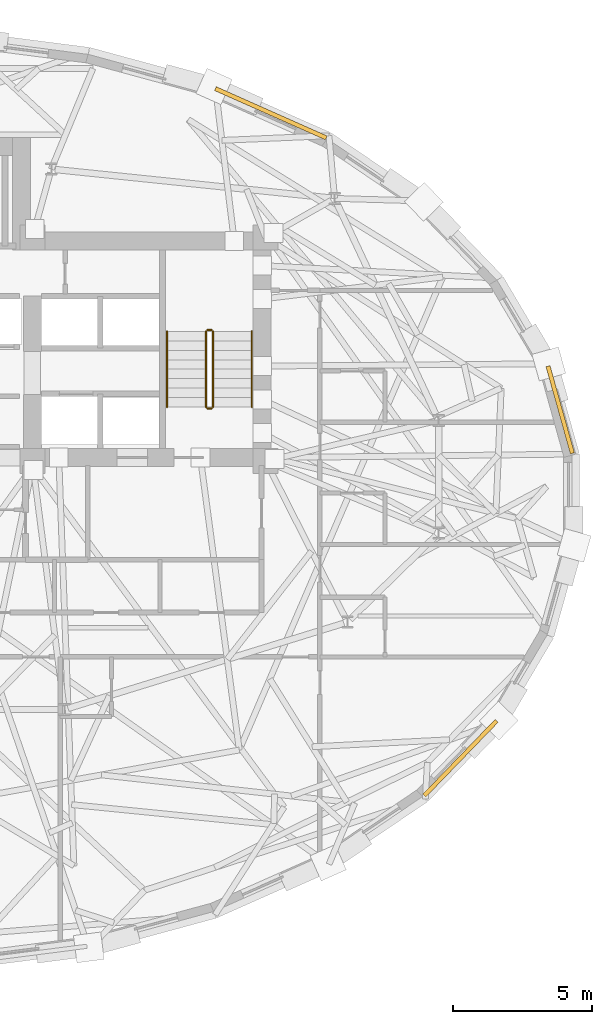
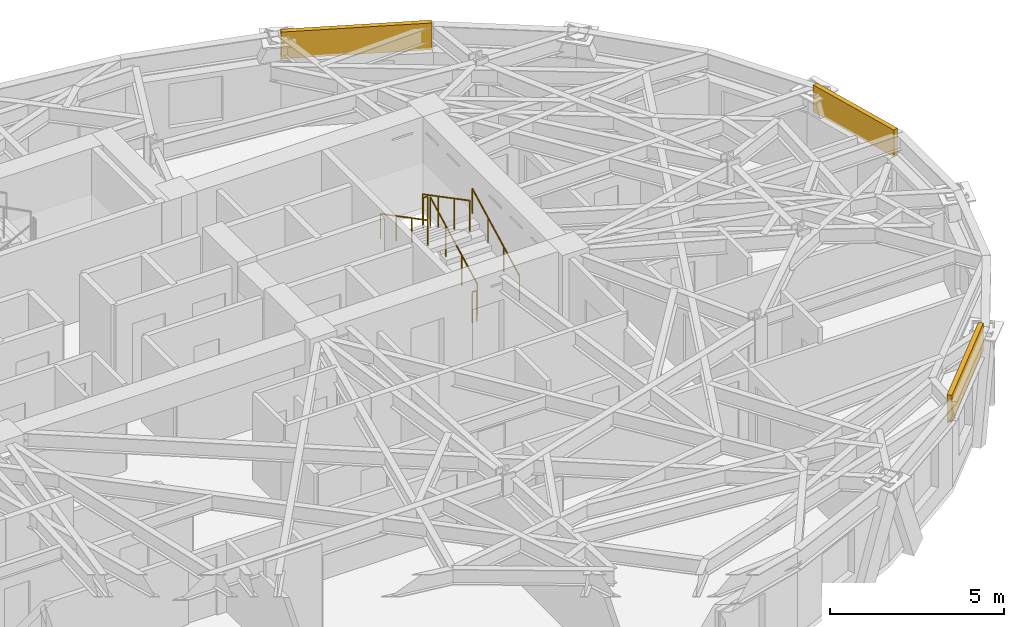
# One storey, part 14 of 15: 6 railings, 3 coverings.
"""IFC4 building model written with IfcOpenShell, lengths in metres."""

from ifc_helpers import new_model, si_unit, direction, frame, origin, origin_2d, place, context, subcontext, project, spatial, rectangle, circle, extrude, material, layer, layer_set, type_object, element, save


model = new_model("IFC4")

# Units and contexts
model_context = context("Model", 3, precision=1e-05, world=origin(), true_north=direction((0.0, 1.0)))
body_context = subcontext(model_context, "Body", "Model", "MODEL_VIEW")
ifc_project = project(units=[si_unit("LENGTHUNIT", "METRE"), si_unit("AREAUNIT", "SQUARE_METRE"), si_unit("VOLUMEUNIT", "CUBIC_METRE"), si_unit("PLANEANGLEUNIT", "RADIAN"), si_unit("MASSUNIT", "GRAM", prefix="KILO")], contexts=[model_context])

# Site, building, storey
site_placement = place(None, origin())
site = spatial("IfcSite", under=ifc_project, at=site_placement, CompositionType="ELEMENT")
building_placement = place(site_placement, origin())
building = spatial("IfcBuilding", under=site, at=building_placement, Name="Keldmark Tower", CompositionType="ELEMENT")
storey_placement = place(building_placement, frame((0.0, 0.0, 163.0)))
storey = spatial("IfcBuildingStorey", under=building, at=storey_placement, Name="L44", CompositionType="ELEMENT", Elevation=163.0)

# Coverings
ifc_material_1 = material(Name="Honed Kasota Buff Dolomitic Limestone", Category="masonry")
ifc_layer = layer(ifc_material_1, 0.074951171875)
ifc_layer_set = layer_set([ifc_layer], Name="Honed Kasota Buff Dolomitic Limestone")
covering_type = type_object("IfcCoveringType", Name="Kasota Buff Limestone Spandrel Cladding Band", PredefinedType="CLADDING", material=ifc_layer_set)
covering_1_placement = place(storey_placement, frame((24.205322265625, 3.25, 2.239013671875), z_axis=(0.0, 0.0, 1.0), x_axis=(-0.26920558486, 0.963082734286, 0.0)))
element("IfcCovering", 1, at=covering_1_placement, inside=storey, type_object=covering_type, Name="L44 Kasota Limestone Spandrel Band 01", PredefinedType="CLADDING", context=body_context, shape_type="SweptSolid", body=[
    extrude(rectangle(XDim=3.2568359375, YDim=0.14990234375, at=origin_2d()), origin(), (0.0, 0.0, 1.0), 0.94091796875),
])
covering_2_placement = place(storey_placement, frame((13.78466796875, 13.9267578125, 2.239013671875), z_axis=(0.0, 0.0, 1.0), x_axis=(-0.913921308103, 0.405891417247, 0.0)))
element("IfcCovering", 2, at=covering_2_placement, inside=storey, type_object=covering_type, Name="L44 Kasota Limestone Spandrel Band 05", PredefinedType="CLADDING", context=body_context, shape_type="SweptSolid", body=[
    extrude(rectangle(XDim=4.367431640625, YDim=0.14990234375, at=origin_2d()), origin(), (0.0, 0.0, 1.0), 0.94091796875),
])
covering_3_placement = place(storey_placement, frame((20.6142578125, -9.298095703125, 2.239013671875), z_axis=(0.0, 0.0, 1.0), x_axis=(0.694959625859, 0.719048759422, 0.0)))
element("IfcCovering", 3, at=covering_3_placement, inside=storey, type_object=covering_type, Name="L44 Kasota Limestone Spandrel Band 29", PredefinedType="CLADDING", context=body_context, shape_type="SweptSolid", body=[
    extrude(rectangle(XDim=3.74609375, YDim=0.14990234375, at=origin_2d()), origin(), (0.0, 0.0, 1.0), 0.94091796875),
])

# Railings
ifc_material_2 = material(Name="Painted Steel ASTM A500 Grade B", Category="steel")
railing_type_1 = type_object("IfcRailingType", Name="Painted Steel Stair Well Guard 1100 mm", PredefinedType="GUARDRAIL", material=ifc_material_2)
railing_1_placement = place(storey_placement, frame((11.699951171875, 3.35009765625, 0.177734375)))
element("IfcRailing", 4, at=railing_1_placement, inside=storey, type_object=railing_type_1, Name="L44 ST2 stair guard 1", PredefinedType="GUARDRAIL", context=body_context, shape_type="SweptSolid", body=[
    extrude(circle(Radius=0.02392578125, at=origin_2d()), frame((0.0, 0.0, 1.076171875), z_axis=(0.0, 0.886150474775, 0.463397600399), x_axis=(-1.0, 0.0, 0.0)), (0.0, 0.0, 1.0), 3.0693359375),
    extrude(circle(Radius=0.02099609375, at=origin_2d()), origin(), (0.0, 0.0, 1.0), 1.052001953125),
    extrude(circle(Radius=0.02099609375, at=origin_2d()), frame((0.0, 0.90673828125, 0.47412109375)), (0.0, 0.0, 1.0), 1.052001953125),
    extrude(circle(Radius=0.02099609375, at=origin_2d()), frame((0.0, 1.813232421875, 0.9482421875)), (0.0, 0.0, 1.0), 1.052001953125),
    extrude(circle(Radius=0.02099609375, at=origin_2d()), frame((0.0, 2.719970703125, 1.42236328125)), (0.0, 0.0, 1.0), 1.052001953125),
])
railing_2_placement = place(storey_placement, frame((11.64990234375, 6.1201171875, 1.60009765625)))
element("IfcRailing", 5, at=railing_2_placement, inside=storey, type_object=railing_type_1, Name="L44 ST2 stair guard 2", PredefinedType="GUARDRAIL", context=body_context, shape_type="SweptSolid", body=[
    extrude(circle(Radius=0.02392578125, at=origin_2d()), frame((0.0, 0.0, 1.076171875), z_axis=(-1.0, 0.0, 0.0), x_axis=(0.0, -1.0, 0.0)), (0.0, 0.0, 1.0), 0.14990234375),
    extrude(circle(Radius=0.02099609375, at=origin_2d()), origin(), (0.0, 0.0, 1.0), 1.052001953125),
    extrude(circle(Radius=0.02099609375, at=origin_2d()), frame((-0.14990234375, 0.0, 0.0)), (0.0, 0.0, 1.0), 1.052001953125),
])
railing_3_placement = place(storey_placement, frame((11.449951171875, 6.070068359375, 1.77783203125)))
element("IfcRailing", 6, at=railing_3_placement, inside=storey, type_object=railing_type_1, Name="L44 ST2 stair guard 3", PredefinedType="GUARDRAIL", context=body_context, shape_type="SweptSolid", body=[
    extrude(circle(Radius=0.02392578125, at=origin_2d()), frame((0.0, 0.0, 1.076171875), z_axis=(0.0, -0.886183135912, 0.463335137482), x_axis=(1.0, 0.0, 0.0)), (0.0, 0.0, 1.0), 3.0693359375),
    extrude(circle(Radius=0.02099609375, at=origin_2d()), origin(), (0.0, 0.0, 1.0), 1.052001953125),
    extrude(circle(Radius=0.02099609375, at=origin_2d()), frame((0.0, -0.90673828125, 0.47412109375)), (0.0, 0.0, 1.0), 1.052001953125),
    extrude(circle(Radius=0.02099609375, at=origin_2d()), frame((0.0, -1.813232421875, 0.947998046875)), (0.0, 0.0, 1.0), 1.052001953125),
    extrude(circle(Radius=0.02099609375, at=origin_2d()), frame((0.0, -2.719970703125, 1.422119140625)), (0.0, 0.0, 1.0), 1.052001953125),
])
railing_4_placement = place(storey_placement, frame((11.64990234375, 3.300048828125, 0.0)))
element("IfcRailing", 7, at=railing_4_placement, inside=storey, type_object=railing_type_1, Name="L44 ST2 stair guard 4", PredefinedType="GUARDRAIL", context=body_context, shape_type="SweptSolid", body=[
    extrude(circle(Radius=0.02392578125, at=origin_2d()), frame((0.0, 0.0, 1.076171875), z_axis=(-1.0, 0.0, 0.0), x_axis=(0.0, -1.0, 0.0)), (0.0, 0.0, 1.0), 0.14990234375),
    extrude(circle(Radius=0.02099609375, at=origin_2d()), origin(), (0.0, 0.0, 1.0), 1.052001953125),
    extrude(circle(Radius=0.02099609375, at=origin_2d()), frame((-0.14990234375, 0.0, 0.0)), (0.0, 0.0, 1.0), 1.052001953125),
])
ifc_material_3 = material(Name="Stainless Steel AISI 316L", Category="steel")
railing_type_2 = type_object("IfcRailingType", Name="Stainless Steel Stair Handrail 900 mm", PredefinedType="HANDRAIL", material=ifc_material_3)
railing_5_placement = place(storey_placement, frame((13.10009765625, 3.35009765625, 0.177734375)))
element("IfcRailing", 8, at=railing_5_placement, inside=storey, type_object=railing_type_2, Name="L44 ST2 stair handrail 1", PredefinedType="HANDRAIL", context=body_context, shape_type="SweptSolid", body=[
    extrude(circle(Radius=0.02392578125, at=origin_2d()), frame((0.0, 0.0, 0.8759765625), z_axis=(0.0, 0.886150474775, 0.463397600399), x_axis=(-1.0, 0.0, 0.0)), (0.0, 0.0, 1.0), 3.0693359375),
    extrude(circle(Radius=0.02099609375, at=origin_2d()), origin(), (0.0, 0.0, 1.0), 0.851806640625),
    extrude(circle(Radius=0.02099609375, at=origin_2d()), frame((0.0, 0.90673828125, 0.47412109375)), (0.0, 0.0, 1.0), 0.851806640625),
    extrude(circle(Radius=0.02099609375, at=origin_2d()), frame((0.0, 1.813232421875, 0.9482421875)), (0.0, 0.0, 1.0), 0.851806640625),
    extrude(circle(Radius=0.02099609375, at=origin_2d()), frame((0.0, 2.719970703125, 1.42236328125)), (0.0, 0.0, 1.0), 0.851806640625),
])
railing_6_placement = place(storey_placement, frame((10.050048828125, 6.070068359375, 1.77783203125)))
element("IfcRailing", 9, at=railing_6_placement, inside=storey, type_object=railing_type_2, Name="L44 ST2 stair handrail 2", PredefinedType="HANDRAIL", context=body_context, shape_type="SweptSolid", body=[
    extrude(circle(Radius=0.02392578125, at=origin_2d()), frame((0.0, 0.0, 0.8759765625), z_axis=(0.0, -0.886183135912, 0.463335137482), x_axis=(1.0, 0.0, 0.0)), (0.0, 0.0, 1.0), 3.0693359375),
    extrude(circle(Radius=0.02099609375, at=origin_2d()), origin(), (0.0, 0.0, 1.0), 0.851806640625),
    extrude(circle(Radius=0.02099609375, at=origin_2d()), frame((0.0, -0.90673828125, 0.47412109375)), (0.0, 0.0, 1.0), 0.851806640625),
    extrude(circle(Radius=0.02099609375, at=origin_2d()), frame((0.0, -1.813232421875, 0.947998046875)), (0.0, 0.0, 1.0), 0.851806640625),
    extrude(circle(Radius=0.02099609375, at=origin_2d()), frame((0.0, -2.719970703125, 1.422119140625)), (0.0, 0.0, 1.0), 0.851806640625),
])

save(model, "model.ifc")
